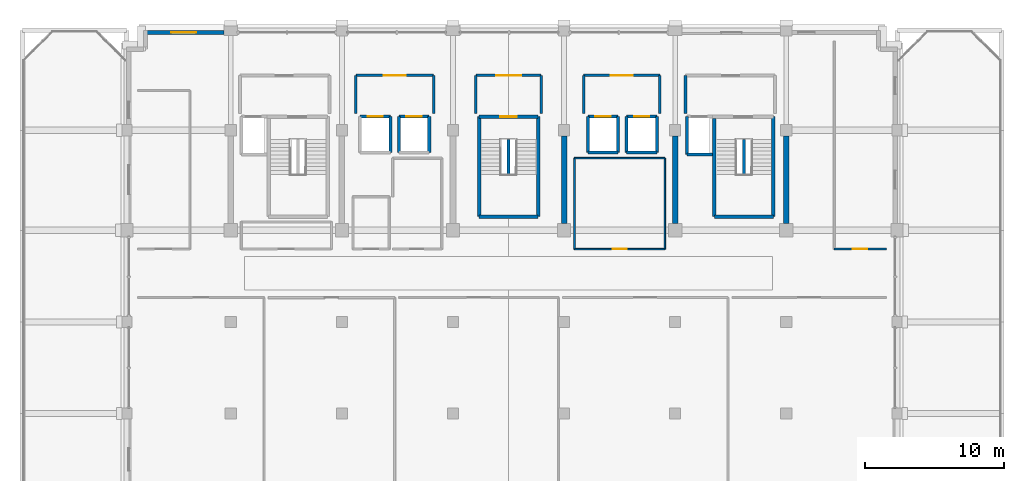
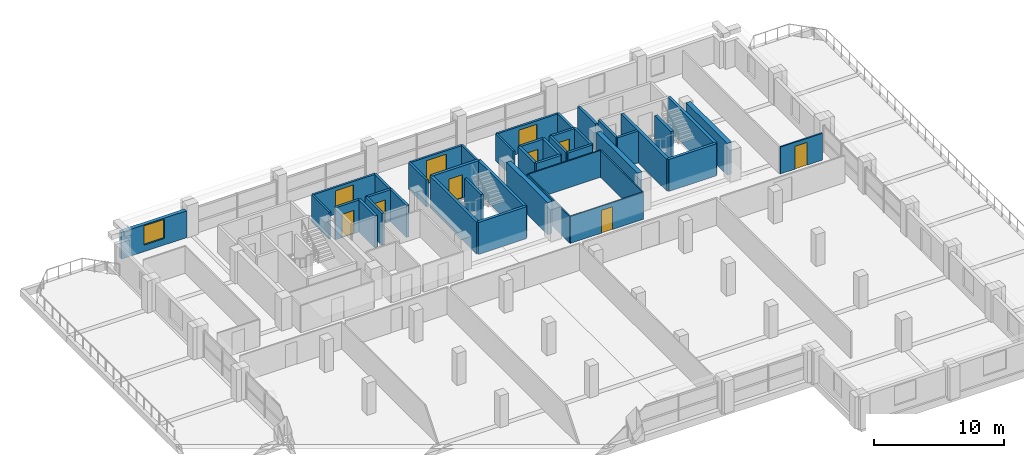
# One storey, part 19 of 22: 43 walls, 10 doors, 1 window, 11 openings.
"""IFC4 building model written with IfcOpenShell, lengths in metres."""

from ifc_helpers import new_model, si_unit, direction, frame, frame_2d, origin, place, context, subcontext, project, spatial, rectangle, extrude, material, layer, layer_set, type_object, element, fill, save


model = new_model("IFC4")

# Units and contexts
model_context = context("Model", 3, precision=1e-05, world=origin(), true_north=direction((0.0, 1.0)))
body_context = subcontext(model_context, "Body", "Model", "MODEL_VIEW")
ifc_project = project(units=[si_unit("LENGTHUNIT", "METRE"), si_unit("AREAUNIT", "SQUARE_METRE"), si_unit("VOLUMEUNIT", "CUBIC_METRE"), si_unit("PLANEANGLEUNIT", "RADIAN"), si_unit("MASSUNIT", "GRAM", prefix="KILO")], contexts=[model_context])

# Site, building, storey
site_placement = place(None, origin())
site = spatial("IfcSite", under=ifc_project, at=site_placement, CompositionType="ELEMENT")
building_placement = place(site_placement, origin())
building = spatial("IfcBuilding", under=site, at=building_placement, Name="Akrevak Sports Hall", CompositionType="ELEMENT")
storey_placement = place(building_placement, frame((0.0, 0.0, 40.550048828125)))
storey = spatial("IfcBuildingStorey", under=building, at=storey_placement, Name="L09", CompositionType="ELEMENT", Elevation=40.550048828125)

# Wall, opening, window
ifc_material_1 = material(Name="Limestone Ashlar", Category="stone")
ifc_layer_1 = layer(ifc_material_1, 0.070068359375, Name="Limestone Ashlar")
ifc_material_2 = material(Name="Mineral Wool Thermal Insulation", Category="insulation")
ifc_layer_2 = layer(ifc_material_2, 0.090087890625, Name="Mineral Wool Thermal Insulation")
ifc_material_3 = material(Name="Concrete C40/50", Category="concrete")
ifc_layer_3 = layer(ifc_material_3, 0.159912109375, Name="Concrete C40/50")
ifc_layer_set_1 = layer_set([ifc_layer_1, ifc_layer_2, ifc_layer_3], Name="Limestone Ashlar / Mineral Wool Thermal Insulation / Concrete C40/50")
wall_type_1 = type_object("IfcWallType", Name="ARC-WL-EXT-320", PredefinedType="SOLIDWALL", material=ifc_layer_set_1)
wall_1_placement = place(storey_placement, frame((59.5, 69.43994140625, 0.0), z_axis=(0.0, 0.0, 1.0), x_axis=(-1.0, 0.0, 0.0)))
wall_1 = element("IfcWall", 1, at=wall_1_placement, inside=storey, type_object=wall_type_1, Name="Tower Stone Facade Wall L09-N25", PredefinedType="SOLIDWALL", context=body_context, shape_type="SweptSolid", body=[
    extrude(rectangle(XDim=5.800048828125, YDim=0.320068359375, at=frame_2d((2.89990234375, 0.0))), origin(), (0.0, 0.0, 1.0), 2.530029296875),
])
opening_1_placement = place(wall_1_placement, frame((2.0, 0.0, 0.6201171875)))
opening_1 = element("IfcOpeningElement", 2, at=opening_1_placement, cuts=wall_1, Name="Opening WN-54", PredefinedType="OPENING", context=body_context, shape_type="SweptSolid", body=[
    extrude(rectangle(XDim=1.800048828125, YDim=1.81005859375, at=frame_2d((0.89990234375, 0.905029296875))), frame((0.0, 0.171875, 0.0), z_axis=(0.0, -1.0, 0.0), x_axis=(1.0, 0.0, 0.0)), (0.0, 0.0, 1.0), 0.343994140625),
])
ifc_material_4 = material(Name="Thermally Broken Bronze Frame & Double Low-E Glass", Category="glass")
window_type = type_object("IfcWindowType", Name="ARC-WIN-SZ-1800x1810", PartitioningType="SINGLE_PANEL", PredefinedType="WINDOW", material=ifc_material_4)
window_placement = place(opening_1_placement, origin())
window = element("IfcWindow", 3, at=window_placement, inside=storey, type_object=window_type, Name="Tower Window L09-N25", OverallHeight=1.81005859375, OverallWidth=1.800048828125, PartitioningType="SINGLE_PANEL", PredefinedType="WINDOW", context=body_context, shape_type="SweptSolid", body=[
    extrude(rectangle(XDim=1.800048828125, YDim=1.81005859375, at=frame_2d((0.89990234375, 0.905029296875))), frame((0.0, 0.030029296875, 0.0), z_axis=(0.0, -1.0, 0.0), x_axis=(1.0, 0.0, 0.0)), (0.0, 0.0, 1.0), 0.06005859375),
])
fill(opening_1, window)

# Wall, opening, door
ifc_material_5 = material(Name="Lightweight Office Partition", Category="gypsum")
ifc_layer_4 = layer(ifc_material_5, 0.110107421875, Name="Lightweight Office Partition")
ifc_layer_set_2 = layer_set([ifc_layer_4], Name="Lightweight Office Partition")
wall_type_2 = type_object("IfcWallType", Name="ARC-WL-PRT-110", PredefinedType="PARTITIONING", material=ifc_layer_set_2)
wall_2_placement = place(storey_placement, frame((84.75, 53.85009765625, 0.0), z_axis=(0.0, 0.0, 1.0), x_axis=(1.0, 0.0, 0.0)))
wall_2 = element("IfcWall", 4, at=wall_2_placement, inside=storey, type_object=wall_type_2, Name="Interior Partition Sports Officiating Office L09-C1 (S)", PredefinedType="PARTITIONING", context=body_context, shape_type="SweptSolid", body=[
    extrude(rectangle(XDim=6.5, YDim=0.110107421875, at=frame_2d((3.25, 0.0))), origin(), (0.0, 0.0, 1.0), 2.530029296875),
])
opening_2_placement = place(wall_2_placement, frame((2.75, 0.0, 0.0)))
opening_2 = element("IfcOpeningElement", 5, at=opening_2_placement, cuts=wall_2, Name="Opening ID-06", PredefinedType="OPENING", context=body_context, shape_type="SweptSolid", body=[
    extrude(rectangle(XDim=1.0, YDim=2.14990234375, at=frame_2d((0.5, 1.074951171875))), frame((0.0, 0.06689453125, 0.0), z_axis=(0.0, -1.0, 0.0), x_axis=(1.0, 0.0, 0.0)), (0.0, 0.0, 1.0), 0.134033203125),
])
ifc_material_6 = material(Name="Hardwood Oak Acoustic Leaf", Category="wood")
door_type_1 = type_object("IfcDoorType", Name="ARC-DR-OFF-100x215", OperationType="NOTDEFINED", PredefinedType="DOOR", material=ifc_material_6)
door_1_placement = place(opening_2_placement, frame((1.0, 0.0, 0.0), z_axis=(0.0, 0.0, 1.0), x_axis=(-1.0, 0.0, 0.0)))
door_1 = element("IfcDoor", 6, at=door_1_placement, inside=storey, type_object=door_type_1, Name="Door to Sports Officiating Office L09-C1", OperationType="SINGLE_SWING_RIGHT", OverallHeight=2.14990234375, OverallWidth=1.0, PredefinedType="DOOR", context=body_context, shape_type="SweptSolid", body=[
    extrude(rectangle(XDim=1.0, YDim=2.14990234375, at=frame_2d((0.5, 1.074951171875))), frame((0.0, 0.02490234375, 0.0), z_axis=(0.0, -1.0, 0.0), x_axis=(1.0, 0.0, 0.0)), (0.0, 0.0, 1.0), 0.050048828125),
])
fill(opening_2, door_1)

# Walls
wall_3_placement = place(storey_placement, frame((84.75, 60.39990234375, 0.0), z_axis=(0.0, 0.0, 1.0), x_axis=(1.0, 0.0, 0.0)))
element("IfcWall", 7, at=wall_3_placement, inside=storey, type_object=wall_type_2, Name="Interior Partition Sports Officiating Office L09-C1 (N)", PredefinedType="PARTITIONING", context=body_context, shape_type="SweptSolid", body=[
    extrude(rectangle(XDim=6.5, YDim=0.110107421875, at=frame_2d((3.25, 0.0))), origin(), (0.0, 0.0, 1.0), 2.530029296875),
])
for number, where, z_axis, x_axis, name in (
    (8, (84.75, 53.85009765625, 0.0), (0.0, 0.0, 1.0), (0.0, 1.0, 0.0), "Interior Partition Sports Officiating Office L09-C1 (W)"),
    (9, (91.25, 53.85009765625, 0.0), (0.0, 0.0, 1.0), (0.0, 1.0, 0.0), "Interior Partition Sports Officiating Office L09-C1 (E)"),
):
    element("IfcWall", number, at=place(storey_placement, frame(where, z_axis=z_axis, x_axis=x_axis)), inside=storey, type_object=wall_type_2, Name=name, PredefinedType="PARTITIONING", context=body_context, shape_type="SweptSolid", body=[
        extrude(rectangle(XDim=6.5498046875, YDim=0.110107421875, at=frame_2d((3.27490234375, 0.0))), origin(), (0.0, 0.0, 1.0), 2.530029296875),
    ])

# Wall, opening, door
ifc_material_7 = material(Name="Acoustic Metal Stud Partition", Category="gypsum")
ifc_layer_5 = layer(ifc_material_7, 0.1298828125, Name="Acoustic Metal Stud Partition")
ifc_layer_set_3 = layer_set([ifc_layer_5], Name="Acoustic Metal Stud Partition")
wall_type_3 = type_object("IfcWallType", Name="ARC-WL-PRT-130", PredefinedType="PARTITIONING", material=ifc_layer_set_3)
wall_4_placement = place(storey_placement, frame((103.449951171875, 53.85009765625, 0.0), z_axis=(0.0, 0.0, 1.0), x_axis=(1.0, 0.0, 0.0)))
wall_4 = element("IfcWall", 10, at=wall_4_placement, inside=storey, type_object=wall_type_3, Name="Interior Partition Federation Research Office L09-E1 (S)", PredefinedType="PARTITIONING", context=body_context, shape_type="SweptSolid", body=[
    extrude(rectangle(XDim=3.75, YDim=0.1298828125, at=frame_2d((1.875, 0.0))), origin(), (0.0, 0.0, 1.0), 2.530029296875),
])
opening_3_placement = place(wall_4_placement, frame((1.324951171875, 0.0, 0.0)))
opening_3 = element("IfcOpeningElement", 11, at=opening_3_placement, cuts=wall_4, Name="Opening ID-05", PredefinedType="OPENING", context=body_context, shape_type="SweptSolid", body=[
    extrude(rectangle(XDim=1.050048828125, YDim=2.14990234375, at=frame_2d((0.52490234375, 1.074951171875))), frame((0.0, 0.076904296875, 0.0), z_axis=(0.0, -1.0, 0.0), x_axis=(1.0, 0.0, 0.0)), (0.0, 0.0, 1.0), 0.15380859375),
])
door_type_2 = type_object("IfcDoorType", Name="ARC-DR-OFF-105x215", OperationType="NOTDEFINED", PredefinedType="DOOR", material=ifc_material_6)
door_2_placement = place(opening_3_placement, origin())
door_2 = element("IfcDoor", 12, at=door_2_placement, inside=storey, type_object=door_type_2, Name="Door to Federation Research Office L09-E1", OperationType="SINGLE_SWING_LEFT", OverallHeight=2.14990234375, OverallWidth=1.050048828125, PredefinedType="DOOR", context=body_context, shape_type="SweptSolid", body=[
    extrude(rectangle(XDim=1.050048828125, YDim=2.14990234375, at=frame_2d((0.52490234375, 1.074951171875))), frame((0.0, 0.02490234375, 0.0), z_axis=(0.0, -1.0, 0.0), x_axis=(1.0, 0.0, 0.0)), (0.0, 0.0, 1.0), 0.050048828125),
])
fill(opening_3, door_2)

ifc_material_8 = material(Name="Autoclaved Aerated Masonry Block", Category="masonry")
ifc_layer_6 = layer(ifc_material_8, 0.179931640625, Name="Autoclaved Aerated Masonry Block")
ifc_layer_set_4 = layer_set([ifc_layer_6], Name="Autoclaved Aerated Masonry Block")
wall_type_4 = type_object("IfcWallType", Name="ARC-WL-PRT-180", PredefinedType="PARTITIONING", material=ifc_layer_set_4)
wall_5_placement = place(storey_placement, frame((69.0, 66.35009765625, 0.0), z_axis=(0.0, 0.0, 1.0), x_axis=(1.0, 0.0, 0.0)))
wall_5 = element("IfcWall", 13, at=wall_5_placement, inside=storey, type_object=wall_type_4, Name="Interior Partition West Passenger Lift Lobby L09 (N)", PredefinedType="PARTITIONING", context=body_context, shape_type="SweptSolid", body=[
    extrude(rectangle(XDim=5.60009765625, YDim=0.179931640625, at=frame_2d((2.800048828125, 0.0))), origin(), (0.0, 0.0, 1.0), 2.530029296875),
])
opening_4_placement = place(wall_5_placement, frame((2.0, 0.0, 0.0)))
opening_4 = element("IfcOpeningElement", 14, at=opening_4_placement, cuts=wall_5, Name="Opening ID-03", PredefinedType="OPENING", context=body_context, shape_type="SweptSolid", body=[
    extrude(rectangle(XDim=1.60009765625, YDim=2.199951171875, at=frame_2d((0.800048828125, 1.10009765625))), frame((0.0, 0.10205078125, 0.0), z_axis=(0.0, -1.0, 0.0), x_axis=(1.0, 0.0, 0.0)), (0.0, 0.0, 1.0), 0.203857421875),
])
ifc_material_9 = material(Name="Hardwood Oak & Safety Glass", Category="wood")
door_type_3 = type_object("IfcDoorType", Name="ARC-DR-HALL-160x220", OperationType="DOUBLE_DOOR_SINGLE_SWING", PredefinedType="DOOR", material=ifc_material_9)
door_3_placement = place(opening_4_placement, origin())
door_3 = element("IfcDoor", 15, at=door_3_placement, inside=storey, type_object=door_type_3, Name="Door to West Passenger Lift Lobby L09", OperationType="DOUBLE_DOOR_SINGLE_SWING", OverallHeight=2.199951171875, OverallWidth=1.60009765625, PredefinedType="DOOR", context=body_context, shape_type="SweptSolid", body=[
    extrude(rectangle(XDim=1.60009765625, YDim=2.199951171875, at=frame_2d((0.800048828125, 1.10009765625))), frame((0.0, 0.02490234375, 0.0), z_axis=(0.0, -1.0, 0.0), x_axis=(1.0, 0.0, 0.0)), (0.0, 0.0, 1.0), 0.050048828125),
])
fill(opening_4, door_3)

# Walls
for number, where, z_axis, x_axis, name in (
    (16, (69.0, 63.60009765625, 0.0), (0.0, 0.0, 1.0), (0.0, 1.0, 0.0), "Interior Partition West Passenger Lift Lobby L09 (W)"),
    (17, (74.60009765625, 63.60009765625, 0.0), (0.0, 0.0, 1.0), (0.0, 1.0, 0.0), "Interior Partition West Passenger Lift Lobby L09 (E)"),
):
    element("IfcWall", number, at=place(storey_placement, frame(where, z_axis=z_axis, x_axis=x_axis)), inside=storey, type_object=wall_type_4, Name=name, PredefinedType="PARTITIONING", context=body_context, shape_type="SweptSolid", body=[
        extrude(rectangle(XDim=2.75, YDim=0.179931640625, at=frame_2d((1.375, 0.0))), origin(), (0.0, 0.0, 1.0), 2.530029296875),
    ])

# Wall, opening, door
wall_6_placement = place(storey_placement, frame((85.39990234375, 66.35009765625, 0.0), z_axis=(0.0, 0.0, 1.0), x_axis=(1.0, 0.0, 0.0)))
wall_6 = element("IfcWall", 18, at=wall_6_placement, inside=storey, type_object=wall_type_4, Name="Interior Partition East Passenger Lift Lobby L09 (N)", PredefinedType="PARTITIONING", context=body_context, shape_type="SweptSolid", body=[
    extrude(rectangle(XDim=5.5, YDim=0.179931640625, at=frame_2d((2.75, 0.0))), origin(), (0.0, 0.0, 1.0), 2.530029296875),
])
opening_5_placement = place(wall_6_placement, frame((1.949951171875, 0.0, 0.0)))
opening_5 = element("IfcOpeningElement", 19, at=opening_5_placement, cuts=wall_6, Name="Opening ID-03", PredefinedType="OPENING", context=body_context, shape_type="SweptSolid", body=[
    extrude(rectangle(XDim=1.60009765625, YDim=2.199951171875, at=frame_2d((0.800048828125, 1.10009765625))), frame((0.0, 0.10205078125, 0.0), z_axis=(0.0, -1.0, 0.0), x_axis=(1.0, 0.0, 0.0)), (0.0, 0.0, 1.0), 0.203857421875),
])
door_4_placement = place(opening_5_placement, origin())
door_4 = element("IfcDoor", 20, at=door_4_placement, inside=storey, type_object=door_type_3, Name="Door to East Passenger Lift Lobby L09", OperationType="DOUBLE_DOOR_SINGLE_SWING", OverallHeight=2.199951171875, OverallWidth=1.60009765625, PredefinedType="DOOR", context=body_context, shape_type="SweptSolid", body=[
    extrude(rectangle(XDim=1.60009765625, YDim=2.199951171875, at=frame_2d((0.800048828125, 1.10009765625))), frame((0.0, 0.02490234375, 0.0), z_axis=(0.0, -1.0, 0.0), x_axis=(1.0, 0.0, 0.0)), (0.0, 0.0, 1.0), 0.050048828125),
])
fill(opening_5, door_4)

# Walls
for number, where, z_axis, x_axis, name in (
    (21, (85.39990234375, 63.60009765625, 0.0), (0.0, 0.0, 1.0), (0.0, 1.0, 0.0), "Interior Partition East Passenger Lift Lobby L09 (W)"),
    (22, (90.89990234375, 63.60009765625, 0.0), (0.0, 0.0, 1.0), (0.0, 1.0, 0.0), "Interior Partition East Passenger Lift Lobby L09 (E)"),
):
    element("IfcWall", number, at=place(storey_placement, frame(where, z_axis=z_axis, x_axis=x_axis)), inside=storey, type_object=wall_type_4, Name=name, PredefinedType="PARTITIONING", context=body_context, shape_type="SweptSolid", body=[
        extrude(rectangle(XDim=2.75, YDim=0.179931640625, at=frame_2d((1.375, 0.0))), origin(), (0.0, 0.0, 1.0), 2.530029296875),
    ])

# Wall, opening, door
wall_7_placement = place(storey_placement, frame((77.64990234375, 66.35009765625, 0.0), z_axis=(0.0, 0.0, 1.0), x_axis=(1.0, 0.0, 0.0)))
wall_7 = element("IfcWall", 23, at=wall_7_placement, inside=storey, type_object=wall_type_4, Name="Interior Partition Central Stair ST3 Vestibule L09 (N)", PredefinedType="PARTITIONING", context=body_context, shape_type="SweptSolid", body=[
    extrude(rectangle(XDim=4.7001953125, YDim=0.179931640625, at=frame_2d((2.35009765625, 0.0))), origin(), (0.0, 0.0, 1.0), 2.530029296875),
])
opening_6_placement = place(wall_7_placement, frame((1.449951171875, 0.0, 0.0)))
opening_6 = element("IfcOpeningElement", 24, at=opening_6_placement, cuts=wall_7, Name="Opening FD-02", PredefinedType="OPENING", context=body_context, shape_type="SweptSolid", body=[
    extrude(rectangle(XDim=1.800048828125, YDim=2.199951171875, at=frame_2d((0.89990234375, 1.10009765625))), frame((0.0, 0.10205078125, 0.0), z_axis=(0.0, -1.0, 0.0), x_axis=(1.0, 0.0, 0.0)), (0.0, 0.0, 1.0), 0.203857421875),
])
ifc_material_10 = material(Name="Fire-Rated Galvanized Door Steel", Category="steel")
door_type_4 = type_object("IfcDoorType", Name="ARC-DR-FIRE-180x220", OperationType="DOUBLE_DOOR_SINGLE_SWING", PredefinedType="DOOR", material=ifc_material_10)
door_5_placement = place(opening_6_placement, frame((1.800048828125, 0.0, 0.0), z_axis=(0.0, 0.0, 1.0), x_axis=(-1.0, 0.0, 0.0)))
door_5 = element("IfcDoor", 25, at=door_5_placement, inside=storey, type_object=door_type_4, Name="Door to Central Stair ST3 Vestibule L09", OperationType="DOUBLE_DOOR_SINGLE_SWING", OverallHeight=2.199951171875, OverallWidth=1.800048828125, PredefinedType="DOOR", context=body_context, shape_type="SweptSolid", body=[
    extrude(rectangle(XDim=1.800048828125, YDim=2.199951171875, at=frame_2d((0.89990234375, 1.10009765625))), frame((0.0, 0.02490234375, 0.0), z_axis=(0.0, -1.0, 0.0), x_axis=(1.0, 0.0, 0.0)), (0.0, 0.0, 1.0), 0.050048828125),
])
fill(opening_6, door_5)

# Walls
for number, where, z_axis, x_axis, name in (
    (26, (77.64990234375, 63.60009765625, 0.0), (0.0, 0.0, 1.0), (0.0, 1.0, 0.0), "Interior Partition Central Stair ST3 Vestibule L09 (W)"),
    (27, (82.35009765625, 63.60009765625, 0.0), (0.0, 0.0, 1.0), (0.0, 1.0, 0.0), "Interior Partition Central Stair ST3 Vestibule L09 (E)"),
):
    element("IfcWall", number, at=place(storey_placement, frame(where, z_axis=z_axis, x_axis=x_axis)), inside=storey, type_object=wall_type_4, Name=name, PredefinedType="PARTITIONING", context=body_context, shape_type="SweptSolid", body=[
        extrude(rectangle(XDim=2.75, YDim=0.179931640625, at=frame_2d((1.375, 0.0))), origin(), (0.0, 0.0, 1.0), 2.530029296875),
    ])
ifc_layer_7 = layer(ifc_material_3, 0.219970703125, Name="Concrete C40/50")
ifc_layer_set_5 = layer_set([ifc_layer_7], Name="Concrete C40/50")
wall_type_5 = type_object("IfcWallType", Name="ARC-WL-PRT-220", PredefinedType="PARTITIONING", material=ifc_layer_set_5)
for number, where, z_axis, x_axis, name in (
    (28, (96.949951171875, 59.215087890625, 0.0), (0.0, 0.0, 1.0), (0.0, 1.0, 0.0), "Stair ST2 Central Spine Wall (L09)"),
    (29, (80.0, 59.215087890625, 0.0), (0.0, 0.0, 1.0), (0.0, 1.0, 0.0), "Stair ST3 Central Spine Wall (L09)"),
):
    element("IfcWall", number, at=place(storey_placement, frame(where, z_axis=z_axis, x_axis=x_axis)), inside=storey, type_object=wall_type_5, Name=name, PredefinedType="PARTITIONING", context=body_context, shape_type="SweptSolid", body=[
        extrude(rectangle(XDim=2.52001953125, YDim=0.219970703125, at=frame_2d((1.260009765625, 0.0))), origin(), (0.0, 0.0, 1.0), 3.010009765625),
    ])
wall_8_placement = place(storey_placement, frame((92.75, 63.60009765625, 0.0), z_axis=(0.0, 0.0, 1.0), x_axis=(0.0, 1.0, 0.0)))
element("IfcWall", 30, at=wall_8_placement, inside=storey, type_object=wall_type_5, Name="Interior Partition Firefighting Lobby East L09 (W)", PredefinedType="PARTITIONING", context=body_context, shape_type="SweptSolid", body=[
    extrude(rectangle(XDim=2.75, YDim=0.219970703125, at=frame_2d((1.375, 0.0))), origin(), (0.0, 0.0, 1.0), 2.530029296875),
])
ifc_material_11 = material(Name="Concrete C50/60", Category="concrete")
ifc_layer_8 = layer(ifc_material_11, 0.219970703125, Name="Concrete C50/60")
ifc_layer_set_6 = layer_set([ifc_layer_8], Name="Concrete C50/60")
wall_type_6 = type_object("IfcWallType", Name="ARC-WL-SHAFT-220", PredefinedType="SHEAR", material=ifc_layer_set_6)
wall_9_placement = place(storey_placement, frame((92.860107421875, 60.659912109375, 0.0), z_axis=(0.0, 0.0, 1.0), x_axis=(1.0, 0.0, 0.0)))
element("IfcWall", 31, at=wall_9_placement, inside=storey, type_object=wall_type_6, Name="Lift Shaft LF-FF2 Wall S (L09)", PredefinedType="SHEAR", context=body_context, shape_type="SweptSolid", body=[
    extrude(rectangle(XDim=1.83984375, YDim=0.219970703125, at=frame_2d((0.919921875, 0.0))), origin(), (0.0, 0.0, 1.0), 3.010009765625),
])
wall_10_placement = place(storey_placement, frame((92.860107421875, 63.389892578125, 0.0), z_axis=(0.0, 0.0, 1.0), x_axis=(0.0, -1.0, 0.0)))
element("IfcWall", 32, at=wall_10_placement, inside=storey, type_object=wall_type_6, Name="Lift Shaft LF-FF2 Wall W (L09)", PredefinedType="SHEAR", context=body_context, shape_type="SweptSolid", body=[
    extrude(rectangle(XDim=2.72998046875, YDim=0.219970703125, at=frame_2d((1.364990234375, 0.0))), origin(), (0.0, 0.0, 1.0), 3.010009765625),
])

# Wall, opening, door
wall_11_placement = place(storey_placement, frame((71.489990234375, 63.389892578125, 0.0), z_axis=(0.0, 0.0, 1.0), x_axis=(-1.0, 0.0, 0.0)))
wall_11 = element("IfcWall", 33, at=wall_11_placement, inside=storey, type_object=wall_type_6, Name="Lift Shaft LF-P1 Wall N (L09)", PredefinedType="SHEAR", context=body_context, shape_type="SweptSolid", body=[
    extrude(rectangle(XDim=2.179931640625, YDim=0.219970703125, at=frame_2d((1.08984375, 0.0))), origin(), (0.0, 0.0, 1.0), 3.010009765625),
])
opening_7_placement = place(wall_11_placement, frame((0.5400390625, 0.0, 0.0)))
opening_7 = element("IfcOpeningElement", 34, at=opening_7_placement, cuts=wall_11, Name="Opening LD-01", PredefinedType="OPENING", context=body_context, shape_type="SweptSolid", body=[
    extrude(rectangle(XDim=1.10009765625, YDim=2.199951171875, at=frame_2d((0.550048828125, 1.10009765625))), frame((0.0, 0.1220703125, 0.0), z_axis=(0.0, -1.0, 0.0), x_axis=(1.0, 0.0, 0.0)), (0.0, 0.0, 1.0), 0.243896484375),
])
ifc_material_12 = material(Name="Brushed Stainless Steel 304", Category="steel")
door_type_5 = type_object("IfcDoorType", Name="ARC-DR-LD-110x220", OperationType="SLIDING_TO_LEFT", PredefinedType="DOOR", material=ifc_material_12)
door_6_placement = place(opening_7_placement, origin())
door_6 = element("IfcDoor", 35, at=door_6_placement, inside=storey, type_object=door_type_5, Name="Lift LF-P1 Sliding Landing Door (L09)", OperationType="SLIDING_TO_RIGHT", OverallHeight=2.199951171875, OverallWidth=1.10009765625, PredefinedType="DOOR", context=body_context, shape_type="SweptSolid", body=[
    extrude(rectangle(XDim=1.10009765625, YDim=2.199951171875, at=frame_2d((0.550048828125, 1.10009765625))), frame((0.0, 0.02490234375, 0.0), z_axis=(0.0, -1.0, 0.0), x_axis=(1.0, 0.0, 0.0)), (0.0, 0.0, 1.0), 0.050048828125),
])
fill(opening_7, door_6)

# Wall
wall_12_placement = place(storey_placement, frame((71.489990234375, 60.81005859375, 0.0), z_axis=(0.0, 0.0, 1.0), x_axis=(0.0, 1.0, 0.0)))
element("IfcWall", 36, at=wall_12_placement, inside=storey, type_object=wall_type_6, Name="Lift Shaft LF-P1 Wall E (L09)", PredefinedType="SHEAR", context=body_context, shape_type="SweptSolid", body=[
    extrude(rectangle(XDim=2.579833984375, YDim=0.219970703125, at=frame_2d((1.2900390625, 0.0))), origin(), (0.0, 0.0, 1.0), 3.010009765625),
])

# Wall, opening, door
wall_13_placement = place(storey_placement, frame((74.2900390625, 63.389892578125, 0.0), z_axis=(0.0, 0.0, 1.0), x_axis=(-1.0, 0.0, 0.0)))
wall_13 = element("IfcWall", 37, at=wall_13_placement, inside=storey, type_object=wall_type_6, Name="Lift Shaft LF-P2 Wall N (L09)", PredefinedType="SHEAR", context=body_context, shape_type="SweptSolid", body=[
    extrude(rectangle(XDim=2.179931640625, YDim=0.219970703125, at=frame_2d((1.08984375, 0.0))), origin(), (0.0, 0.0, 1.0), 3.010009765625),
])
opening_8_placement = place(wall_13_placement, frame((0.5400390625, 0.0, 0.0)))
opening_8 = element("IfcOpeningElement", 38, at=opening_8_placement, cuts=wall_13, Name="Opening LD-01", PredefinedType="OPENING", context=body_context, shape_type="SweptSolid", body=[
    extrude(rectangle(XDim=1.10009765625, YDim=2.199951171875, at=frame_2d((0.550048828125, 1.10009765625))), frame((0.0, 0.1220703125, 0.0), z_axis=(0.0, -1.0, 0.0), x_axis=(1.0, 0.0, 0.0)), (0.0, 0.0, 1.0), 0.243896484375),
])
door_7_placement = place(opening_8_placement, origin())
door_7 = element("IfcDoor", 39, at=door_7_placement, inside=storey, type_object=door_type_5, Name="Lift LF-P2 Sliding Landing Door (L09)", OperationType="SLIDING_TO_RIGHT", OverallHeight=2.199951171875, OverallWidth=1.10009765625, PredefinedType="DOOR", context=body_context, shape_type="SweptSolid", body=[
    extrude(rectangle(XDim=1.10009765625, YDim=2.199951171875, at=frame_2d((0.550048828125, 1.10009765625))), frame((0.0, 0.02490234375, 0.0), z_axis=(0.0, -1.0, 0.0), x_axis=(1.0, 0.0, 0.0)), (0.0, 0.0, 1.0), 0.050048828125),
])
fill(opening_8, door_7)

# Walls
for number, where, z_axis, x_axis, name in (
    (40, (72.110107421875, 63.389892578125, 0.0), (0.0, 0.0, 1.0), (0.0, -1.0, 0.0), "Lift Shaft LF-P2 Wall W (L09)"),
    (41, (74.2900390625, 60.81005859375, 0.0), (0.0, 0.0, 1.0), (0.0, 1.0, 0.0), "Lift Shaft LF-P2 Wall E (L09)"),
):
    element("IfcWall", number, at=place(storey_placement, frame(where, z_axis=z_axis, x_axis=x_axis)), inside=storey, type_object=wall_type_6, Name=name, PredefinedType="SHEAR", context=body_context, shape_type="SweptSolid", body=[
        extrude(rectangle(XDim=2.579833984375, YDim=0.219970703125, at=frame_2d((1.2900390625, 0.0))), origin(), (0.0, 0.0, 1.0), 3.010009765625),
    ])
wall_14_placement = place(storey_placement, frame((85.7099609375, 60.81005859375, 0.0), z_axis=(0.0, 0.0, 1.0), x_axis=(1.0, 0.0, 0.0)))
element("IfcWall", 42, at=wall_14_placement, inside=storey, type_object=wall_type_6, Name="Lift Shaft LF-P3 Wall S (L09)", PredefinedType="SHEAR", context=body_context, shape_type="SweptSolid", body=[
    extrude(rectangle(XDim=2.179931640625, YDim=0.219970703125, at=frame_2d((1.08984375, 0.0))), origin(), (0.0, 0.0, 1.0), 3.010009765625),
])

# Wall, opening, door
wall_15_placement = place(storey_placement, frame((87.889892578125, 63.389892578125, 0.0), z_axis=(0.0, 0.0, 1.0), x_axis=(-1.0, 0.0, 0.0)))
wall_15 = element("IfcWall", 43, at=wall_15_placement, inside=storey, type_object=wall_type_6, Name="Lift Shaft LF-P3 Wall N (L09)", PredefinedType="SHEAR", context=body_context, shape_type="SweptSolid", body=[
    extrude(rectangle(XDim=2.179931640625, YDim=0.219970703125, at=frame_2d((1.08984375, 0.0))), origin(), (0.0, 0.0, 1.0), 3.010009765625),
])
opening_9_placement = place(wall_15_placement, frame((0.5400390625, 0.0, 0.0)))
opening_9 = element("IfcOpeningElement", 44, at=opening_9_placement, cuts=wall_15, Name="Opening LD-01", PredefinedType="OPENING", context=body_context, shape_type="SweptSolid", body=[
    extrude(rectangle(XDim=1.10009765625, YDim=2.199951171875, at=frame_2d((0.550048828125, 1.10009765625))), frame((0.0, 0.1220703125, 0.0), z_axis=(0.0, -1.0, 0.0), x_axis=(1.0, 0.0, 0.0)), (0.0, 0.0, 1.0), 0.243896484375),
])
door_8_placement = place(opening_9_placement, origin())
door_8 = element("IfcDoor", 45, at=door_8_placement, inside=storey, type_object=door_type_5, Name="Lift LF-P3 Sliding Landing Door (L09)", OperationType="SLIDING_TO_RIGHT", OverallHeight=2.199951171875, OverallWidth=1.10009765625, PredefinedType="DOOR", context=body_context, shape_type="SweptSolid", body=[
    extrude(rectangle(XDim=1.10009765625, YDim=2.199951171875, at=frame_2d((0.550048828125, 1.10009765625))), frame((0.0, 0.02490234375, 0.0), z_axis=(0.0, -1.0, 0.0), x_axis=(1.0, 0.0, 0.0)), (0.0, 0.0, 1.0), 0.050048828125),
])
fill(opening_9, door_8)

# Walls
for number, where, z_axis, x_axis, name in (
    (46, (85.7099609375, 63.389892578125, 0.0), (0.0, 0.0, 1.0), (0.0, -1.0, 0.0), "Lift Shaft LF-P3 Wall W (L09)"),
    (47, (87.889892578125, 60.81005859375, 0.0), (0.0, 0.0, 1.0), (0.0, 1.0, 0.0), "Lift Shaft LF-P3 Wall E (L09)"),
):
    element("IfcWall", number, at=place(storey_placement, frame(where, z_axis=z_axis, x_axis=x_axis)), inside=storey, type_object=wall_type_6, Name=name, PredefinedType="SHEAR", context=body_context, shape_type="SweptSolid", body=[
        extrude(rectangle(XDim=2.579833984375, YDim=0.219970703125, at=frame_2d((1.2900390625, 0.0))), origin(), (0.0, 0.0, 1.0), 3.010009765625),
    ])
wall_16_placement = place(storey_placement, frame((88.510009765625, 60.81005859375, 0.0), z_axis=(0.0, 0.0, 1.0), x_axis=(1.0, 0.0, 0.0)))
element("IfcWall", 48, at=wall_16_placement, inside=storey, type_object=wall_type_6, Name="Lift Shaft LF-P4 Wall S (L09)", PredefinedType="SHEAR", context=body_context, shape_type="SweptSolid", body=[
    extrude(rectangle(XDim=2.179931640625, YDim=0.219970703125, at=frame_2d((1.08984375, 0.0))), origin(), (0.0, 0.0, 1.0), 3.010009765625),
])

# Wall, opening, door
wall_17_placement = place(storey_placement, frame((90.68994140625, 63.389892578125, 0.0), z_axis=(0.0, 0.0, 1.0), x_axis=(-1.0, 0.0, 0.0)))
wall_17 = element("IfcWall", 49, at=wall_17_placement, inside=storey, type_object=wall_type_6, Name="Lift Shaft LF-P4 Wall N (L09)", PredefinedType="SHEAR", context=body_context, shape_type="SweptSolid", body=[
    extrude(rectangle(XDim=2.179931640625, YDim=0.219970703125, at=frame_2d((1.08984375, 0.0))), origin(), (0.0, 0.0, 1.0), 3.010009765625),
])
opening_10_placement = place(wall_17_placement, frame((0.5400390625, 0.0, 0.0)))
opening_10 = element("IfcOpeningElement", 50, at=opening_10_placement, cuts=wall_17, Name="Opening LD-01", PredefinedType="OPENING", context=body_context, shape_type="SweptSolid", body=[
    extrude(rectangle(XDim=1.10009765625, YDim=2.199951171875, at=frame_2d((0.550048828125, 1.10009765625))), frame((0.0, 0.1220703125, 0.0), z_axis=(0.0, -1.0, 0.0), x_axis=(1.0, 0.0, 0.0)), (0.0, 0.0, 1.0), 0.243896484375),
])
door_9_placement = place(opening_10_placement, origin())
door_9 = element("IfcDoor", 51, at=door_9_placement, inside=storey, type_object=door_type_5, Name="Lift LF-P4 Sliding Landing Door (L09)", OperationType="SLIDING_TO_RIGHT", OverallHeight=2.199951171875, OverallWidth=1.10009765625, PredefinedType="DOOR", context=body_context, shape_type="SweptSolid", body=[
    extrude(rectangle(XDim=1.10009765625, YDim=2.199951171875, at=frame_2d((0.550048828125, 1.10009765625))), frame((0.0, 0.02490234375, 0.0), z_axis=(0.0, -1.0, 0.0), x_axis=(1.0, 0.0, 0.0)), (0.0, 0.0, 1.0), 0.050048828125),
])
fill(opening_10, door_9)

# Walls
for number, where, z_axis, x_axis, name in (
    (52, (88.510009765625, 63.389892578125, 0.0), (0.0, 0.0, 1.0), (0.0, -1.0, 0.0), "Lift Shaft LF-P4 Wall W (L09)"),
    (53, (90.68994140625, 60.81005859375, 0.0), (0.0, 0.0, 1.0), (0.0, 1.0, 0.0), "Lift Shaft LF-P4 Wall E (L09)"),
):
    element("IfcWall", number, at=place(storey_placement, frame(where, z_axis=z_axis, x_axis=x_axis)), inside=storey, type_object=wall_type_6, Name=name, PredefinedType="SHEAR", context=body_context, shape_type="SweptSolid", body=[
        extrude(rectangle(XDim=2.579833984375, YDim=0.219970703125, at=frame_2d((1.2900390625, 0.0))), origin(), (0.0, 0.0, 1.0), 3.010009765625),
    ])
ifc_layer_9 = layer(ifc_material_11, 0.39990234375, Name="Concrete C50/60")
ifc_layer_set_7 = layer_set([ifc_layer_9], Name="Concrete C50/60")
wall_type_7 = type_object("IfcWallType", Name="STR-WL-CORE-400", PredefinedType="SHEAR", material=ifc_layer_set_7)
for number, where, z_axis, x_axis, name in (
    (54, (84.0, 55.675048828125, 0.0), (0.0, 0.0, 1.0), (0.0, 1.0, 0.0), "Reinforced Concrete Shear Wall SW-C2 (L09)"),
    (55, (92.0, 55.675048828125, 0.0), (0.0, 0.0, 1.0), (0.0, 1.0, 0.0), "Reinforced Concrete Shear Wall SW-E1 (L09)"),
    (56, (100.0, 55.675048828125, 0.0), (0.0, 0.0, 1.0), (0.0, 1.0, 0.0), "Reinforced Concrete Shear Wall SW-E2 (L09)"),
):
    element("IfcWall", number, at=place(storey_placement, frame(where, z_axis=z_axis, x_axis=x_axis)), inside=storey, type_object=wall_type_7, Name=name, PredefinedType="SHEAR", context=body_context, shape_type="SweptSolid", body=[
        extrude(rectangle(XDim=6.324951171875, YDim=0.39990234375, at=frame_2d((3.16259765625, 0.0))), origin(), (0.0, 0.0, 1.0), 3.010009765625),
    ])
ifc_layer_10 = layer(ifc_material_11, 0.25, Name="Concrete C50/60")
ifc_layer_set_8 = layer_set([ifc_layer_10], Name="Concrete C50/60")
wall_type_8 = type_object("IfcWallType", Name="STR-WL-STAIR-250", PredefinedType="SHEAR", material=ifc_layer_set_8)
wall_18_placement = place(storey_placement, frame((94.824951171875, 56.175048828125, 0.0), z_axis=(0.0, 0.0, 1.0), x_axis=(1.0, 0.0, 0.0)))
element("IfcWall", 57, at=wall_18_placement, inside=storey, type_object=wall_type_8, Name="Stair Core ST2 Shear Wall S (L09)", PredefinedType="SHEAR", context=body_context, shape_type="SweptSolid", body=[
    extrude(rectangle(XDim=4.25, YDim=0.25, at=frame_2d((2.125, 0.0))), origin(), (0.0, 0.0, 1.0), 3.010009765625),
])
wall_19_placement = place(storey_placement, frame((94.824951171875, 63.25, 0.0), z_axis=(0.0, 0.0, 1.0), x_axis=(0.0, -1.0, 0.0)))
element("IfcWall", 58, at=wall_19_placement, inside=storey, type_object=wall_type_8, Name="Stair Core ST2 Shear Wall W (L09)", PredefinedType="SHEAR", context=body_context, shape_type="SweptSolid", body=[
    extrude(rectangle(XDim=7.074951171875, YDim=0.25, at=frame_2d((3.53759765625, 0.0))), origin(), (0.0, 0.0, 1.0), 3.010009765625),
])
wall_20_placement = place(storey_placement, frame((99.074951171875, 56.175048828125, 0.0), z_axis=(0.0, 0.0, 1.0), x_axis=(0.0, 1.0, 0.0)))
element("IfcWall", 59, at=wall_20_placement, inside=storey, type_object=wall_type_8, Name="Stair Core ST2 Shear Wall E (L09)", PredefinedType="SHEAR", context=body_context, shape_type="SweptSolid", body=[
    extrude(rectangle(XDim=7.199951171875, YDim=0.25, at=frame_2d((3.60009765625, 0.0))), origin(), (0.0, 0.0, 1.0), 3.010009765625),
])
wall_21_placement = place(storey_placement, frame((77.875, 56.175048828125, 0.0), z_axis=(0.0, 0.0, 1.0), x_axis=(1.0, 0.0, 0.0)))
element("IfcWall", 60, at=wall_21_placement, inside=storey, type_object=wall_type_8, Name="Stair Core ST3 Shear Wall S (L09)", PredefinedType="SHEAR", context=body_context, shape_type="SweptSolid", body=[
    extrude(rectangle(XDim=4.25, YDim=0.25, at=frame_2d((2.125, 0.0))), origin(), (0.0, 0.0, 1.0), 3.010009765625),
])

# Wall, opening, door
wall_22_placement = place(storey_placement, frame((82.125, 63.375, 0.0), z_axis=(0.0, 0.0, 1.0), x_axis=(-1.0, 0.0, 0.0)))
wall_22 = element("IfcWall", 61, at=wall_22_placement, inside=storey, type_object=wall_type_8, Name="Stair Core ST3 Shear Wall N (L09)", PredefinedType="SHEAR", context=body_context, shape_type="SweptSolid", body=[
    extrude(rectangle(XDim=4.25, YDim=0.25, at=frame_2d((2.125, 0.0))), origin(), (0.0, 0.0, 1.0), 3.010009765625),
])
opening_11_placement = place(wall_22_placement, frame((1.52490234375, 0.0, 0.0)))
opening_11 = element("IfcOpeningElement", 62, at=opening_11_placement, cuts=wall_22, Name="Opening SD-02", PredefinedType="OPENING", context=body_context, shape_type="SweptSolid", body=[
    extrude(rectangle(XDim=1.199951171875, YDim=2.199951171875, at=frame_2d((0.60009765625, 1.10009765625))), frame((0.0, 0.136962890625, 0.0), z_axis=(0.0, -1.0, 0.0), x_axis=(1.0, 0.0, 0.0)), (0.0, 0.0, 1.0), 0.27392578125),
])
door_type_6 = type_object("IfcDoorType", Name="ARC-DR-STAIR-120x220", OperationType="NOTDEFINED", PredefinedType="DOOR", material=ifc_material_10)
door_10_placement = place(opening_11_placement, origin())
door_10 = element("IfcDoor", 63, at=door_10_placement, inside=storey, type_object=door_type_6, Name="Exit Stair ST3 Door (L09)", OperationType="SINGLE_SWING_LEFT", OverallHeight=2.199951171875, OverallWidth=1.199951171875, PredefinedType="DOOR", context=body_context, shape_type="SweptSolid", body=[
    extrude(rectangle(XDim=1.199951171875, YDim=2.199951171875, at=frame_2d((0.60009765625, 1.10009765625))), frame((0.0, 0.02490234375, 0.0), z_axis=(0.0, -1.0, 0.0), x_axis=(1.0, 0.0, 0.0)), (0.0, 0.0, 1.0), 0.050048828125),
])
fill(opening_11, door_10)

# Walls
for number, where, z_axis, x_axis, name in (
    (64, (77.875, 63.375, 0.0), (0.0, 0.0, 1.0), (0.0, -1.0, 0.0), "Stair Core ST3 Shear Wall W (L09)"),
    (65, (82.125, 56.175048828125, 0.0), (0.0, 0.0, 1.0), (0.0, 1.0, 0.0), "Stair Core ST3 Shear Wall E (L09)"),
):
    element("IfcWall", number, at=place(storey_placement, frame(where, z_axis=z_axis, x_axis=x_axis)), inside=storey, type_object=wall_type_8, Name=name, PredefinedType="SHEAR", context=body_context, shape_type="SweptSolid", body=[
        extrude(rectangle(XDim=7.199951171875, YDim=0.25, at=frame_2d((3.60009765625, 0.0))), origin(), (0.0, 0.0, 1.0), 3.010009765625),
    ])

save(model, "model.ifc")
